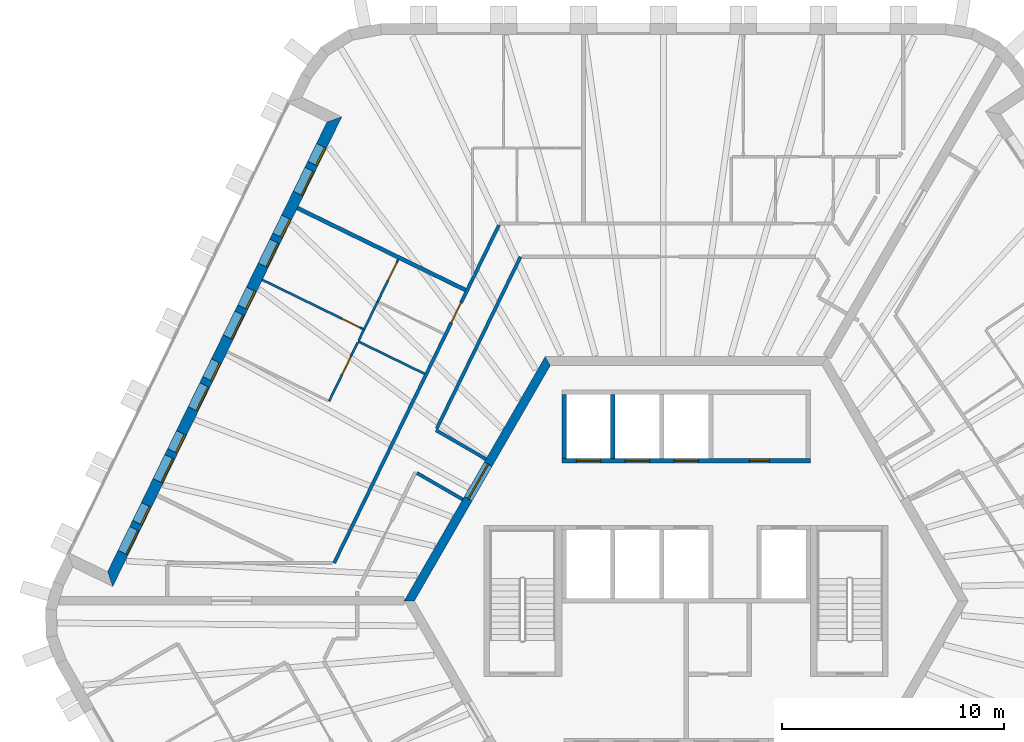
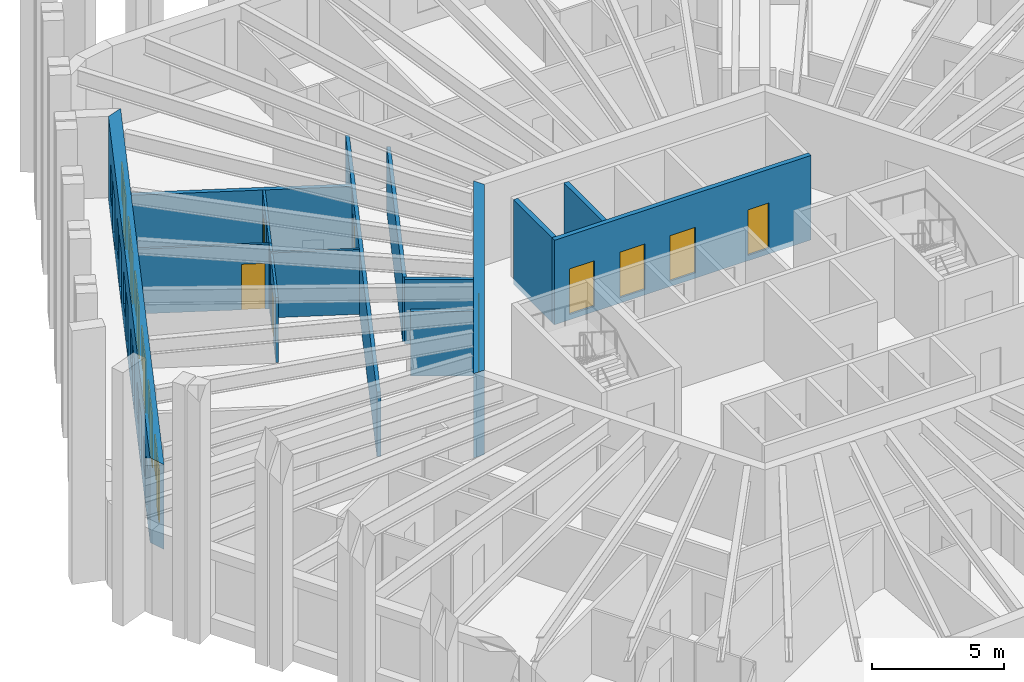
# One storey, part 8 of 13: 16 walls, 15 doors, 6 windows, 21 openings.
"""IFC4 building model written with IfcOpenShell, lengths in metres."""

from ifc_helpers import new_model, si_unit, direction, frame, frame_2d, origin, place, context, subcontext, project, spatial, polyline, rectangle, outline, extrude, material, layer, layer_set, type_object, element, fill, save


model = new_model("IFC4")

# Units and contexts
model_context = context("Model", 3, precision=1e-05, world=origin(), true_north=direction((0.0, 1.0)))
body_context = subcontext(model_context, "Body", "Model", "MODEL_VIEW")
ifc_project = project(units=[si_unit("LENGTHUNIT", "METRE"), si_unit("AREAUNIT", "SQUARE_METRE"), si_unit("VOLUMEUNIT", "CUBIC_METRE"), si_unit("PLANEANGLEUNIT", "RADIAN"), si_unit("MASSUNIT", "GRAM", prefix="KILO")], contexts=[model_context])

# Site, building, storey
site_placement = place(None, origin())
site = spatial("IfcSite", under=ifc_project, at=site_placement, CompositionType="ELEMENT")
building_placement = place(site_placement, origin())
building = spatial("IfcBuilding", under=site, at=building_placement, Name="Tarnside Tower", CompositionType="ELEMENT")
storey_placement = place(building_placement, frame((0.0, 0.0, 267.89990234375)))
storey = spatial("IfcBuildingStorey", under=building, at=storey_placement, Name="L64", CompositionType="ELEMENT", Elevation=267.89990234375)

# Walls
ifc_material_1 = material(Name="Gypsum board partition on steel studs", Category="steel")
ifc_layer_1 = layer(ifc_material_1, 0.10009765625)
ifc_layer_set_1 = layer_set([ifc_layer_1], Name="Bathroom wall 100")
wall_type_1 = type_object("IfcWallType", Name="Bathroom wall 100", PredefinedType="PARTITIONING", material=ifc_layer_set_1)
wall_1_placement = place(storey_placement, frame((-11.784912109375, 10.225830078125, 0.0), z_axis=(0.0, 0.0, 1.0), x_axis=(-0.898803726577, 0.438351298723, 0.0)))
element("IfcWall", 1, at=wall_1_placement, inside=storey, type_object=wall_type_1, Name="Bathroom wall 21106", PredefinedType="PARTITIONING", context=body_context, shape_type="SweptSolid", body=[
    extrude(rectangle(XDim=3.324951171875, YDim=0.10009765625, at=frame_2d((1.66259765625, 0.0))), origin(), (0.0, 0.0, 1.0), 2.98779296875),
])
wall_2_placement = place(storey_placement, frame((-13.895751953125, 13.48291015625, 0.0), z_axis=(0.0, 0.0, 1.0), x_axis=(-0.438416771233, -0.898771792337, 0.0)))
element("IfcWall", 2, at=wall_2_placement, inside=storey, type_object=wall_type_1, Name="Bathroom wall 21112", PredefinedType="PARTITIONING", context=body_context, shape_type="SweptSolid", body=[
    extrude(rectangle(XDim=1.402099609375, YDim=0.10009765625, at=frame_2d((0.701171875, 0.0))), origin(), (0.0, 0.0, 1.0), 2.98779296875),
])
wall_3_placement = place(storey_placement, frame((-14.510498046875, 12.22265625, 0.0), z_axis=(0.0, 0.0, 1.0), x_axis=(-0.438345197703, -0.898806702051, 0.0)))
element("IfcWall", 3, at=wall_3_placement, inside=storey, type_object=wall_type_1, Name="Bathroom wall 21113", PredefinedType="PARTITIONING", context=body_context, shape_type="SweptSolid", body=[
    extrude(rectangle(XDim=0.552001953125, YDim=0.10009765625, at=frame_2d((0.27587890625, 0.0))), origin(), (0.0, 0.0, 1.0), 2.98779296875),
])

# Wall, opening, door
ifc_material_2 = material(Name="Concrete C60/75", Category="concrete")
ifc_layer_2 = layer(ifc_material_2, 0.39990234375)
ifc_layer_set_2 = layer_set([ifc_layer_2], Name="Core wall Z3 400 C60/75")
wall_type_2 = type_object("IfcWallType", Name="Core wall Z3 400 C60/75", PredefinedType="SHEAR", material=ifc_layer_set_2)
wall_4_placement = place(storey_placement, frame((-6.2353515625, 10.800048828125, -0.14990234375), z_axis=(0.0, 0.0, 1.0), x_axis=(-0.499996419489, -0.866027470984, 0.0)))
wall_4 = element("IfcWall", 4, at=wall_4_placement, inside=storey, type_object=wall_type_2, Name="L64 core wall face 2", PredefinedType="SHEAR", context=body_context, shape_type="SweptSolid", body=[
    extrude(outline(polyline([(-0.115478515625, -0.199951171875), (12.586181640625, -0.199951171875), (12.355224609375, 0.199951171875), (0.115478515625, 0.199951171875), (-0.115478515625, -0.199951171875)])), origin(), (0.0, 0.0, 1.0), 3.89990234375),
])
opening_1_placement = place(wall_4_placement, frame((5.3642578125, 0.0, 0.14990234375)))
opening_1 = element("IfcOpeningElement", 5, at=opening_1_placement, cuts=wall_4, Name="Opening CD-LOB", PredefinedType="OPENING", context=body_context, shape_type="SweptSolid", body=[
    extrude(rectangle(XDim=1.800048828125, YDim=2.39990234375, at=frame_2d((0.89990234375, 1.199951171875))), frame((0.0, 0.2099609375, 0.0), z_axis=(0.0, -1.0, 0.0), x_axis=(1.0, 0.0, 0.0)), (0.0, 0.0, 1.0), 0.419921875),
])
ifc_material_3 = material(Name="Steel fire door", Category="steel")
door_type_1 = type_object("IfcDoorType", Name="Lobby double door FD30S 1800x2400", OperationType="NOTDEFINED", PredefinedType="DOOR", material=ifc_material_3)
door_1_placement = place(opening_1_placement, origin())
door_1 = element("IfcDoor", 6, at=door_1_placement, inside=storey, type_object=door_type_1, Name="L64 core door P1", OperationType="DOUBLE_DOOR_SINGLE_SWING", OverallHeight=2.39990234375, OverallWidth=1.800048828125, PredefinedType="DOOR", context=body_context, shape_type="SweptSolid", body=[
    extrude(rectangle(XDim=1.800048828125, YDim=2.39990234375, at=frame_2d((0.89990234375, 1.199951171875))), frame((0.0, 0.02490234375, 0.0), z_axis=(0.0, -1.0, 0.0), x_axis=(1.0, 0.0, 0.0)), (0.0, 0.0, 1.0), 0.050048828125),
])
fill(opening_1, door_1)

ifc_layer_3 = layer(ifc_material_1, 0.14990234375)
ifc_layer_set_3 = layer_set([ifc_layer_3], Name="Corridor wall 150 EI 60")
wall_type_3 = type_object("IfcWallType", Name="Corridor wall 150 EI 60", PredefinedType="PARTITIONING", material=ifc_layer_set_3)
wall_5_placement = place(storey_placement, frame((-8.43408203125, 16.925048828125, 0.0), z_axis=(0.0, 0.0, 1.0), x_axis=(-0.438371383278, -0.898793930956, 0.0)))
wall_5 = element("IfcWall", 7, at=wall_5_placement, inside=storey, type_object=wall_type_3, Name="Corridor wall 21010", PredefinedType="PARTITIONING", context=body_context, shape_type="SweptSolid", body=[
    extrude(rectangle(XDim=16.939453125, YDim=0.14990234375, at=frame_2d((8.4697265625, 0.0))), origin(), (0.0, 0.0, 1.0), 2.98779296875),
])
opening_2_placement = place(wall_5_placement, frame((3.89013671875, 0.0, 0.0)))
opening_2 = element("IfcOpeningElement", 8, at=opening_2_placement, cuts=wall_5, Name="Opening D-E1", PredefinedType="OPENING", context=body_context, shape_type="SweptSolid", body=[
    extrude(rectangle(XDim=1.0, YDim=2.10009765625, at=frame_2d((0.5, 1.050048828125))), frame((0.0, 0.0849609375, 0.0), z_axis=(0.0, -1.0, 0.0), x_axis=(1.0, 0.0, 0.0)), (0.0, 0.0, 1.0), 0.169921875),
])
ifc_material_4 = material(Name="Timber door leaf", Category="wood")
door_type_2 = type_object("IfcDoorType", Name="Unit entrance door 1000 FD30S", OperationType="NOTDEFINED", PredefinedType="DOOR", material=ifc_material_4)
door_2_placement = place(opening_2_placement, origin())
door_2 = element("IfcDoor", 9, at=door_2_placement, inside=storey, type_object=door_type_2, Name="Unit door 21017", OperationType="SINGLE_SWING_RIGHT", OverallHeight=2.10009765625, OverallWidth=1.0, PredefinedType="DOOR", context=body_context, shape_type="SweptSolid", body=[
    extrude(rectangle(XDim=1.0, YDim=2.10009765625, at=frame_2d((0.5, 1.050048828125))), frame((0.0, 0.02490234375, 0.0), z_axis=(0.0, -1.0, 0.0), x_axis=(1.0, 0.0, 0.0)), (0.0, 0.0, 1.0), 0.050048828125),
])
fill(opening_2, door_2)

# Walls
wall_6_placement = place(storey_placement, frame((-9.015625, 6.38427734375, 0.0), z_axis=(0.0, 0.0, 1.0), x_axis=(-0.866031051173, 0.499990218309, 0.0)))
element("IfcWall", 10, at=wall_6_placement, inside=storey, type_object=wall_type_3, Name="Corridor wall 21020", PredefinedType="PARTITIONING", context=body_context, shape_type="SweptSolid", body=[
    extrude(rectangle(XDim=2.6044921875, YDim=0.14990234375, at=frame_2d((1.30224609375, 0.0))), origin(), (0.0, 0.0, 1.0), 2.98779296875),
])
wall_7_placement = place(storey_placement, frame((-11.23828125, 7.754150390625, 0.0), z_axis=(0.0, 0.0, 1.0), x_axis=(0.438387352899, 0.89878614187, 0.0)))
element("IfcWall", 11, at=wall_7_placement, inside=storey, type_object=wall_type_3, Name="Corridor wall 21021", PredefinedType="PARTITIONING", context=body_context, shape_type="SweptSolid", body=[
    extrude(rectangle(XDim=8.6181640625, YDim=0.14990234375, at=frame_2d((4.30908203125, 0.0))), origin(), (0.0, 0.0, 1.0), 2.98779296875),
])
wall_8_placement = place(storey_placement, frame((-12.12890625, 5.7568359375, 0.0), z_axis=(0.0, 0.0, 1.0), x_axis=(0.866033707122, -0.499985617921, 0.0)))
element("IfcWall", 12, at=wall_8_placement, inside=storey, type_object=wall_type_3, Name="Corridor wall 21028", PredefinedType="PARTITIONING", context=body_context, shape_type="SweptSolid", body=[
    extrude(rectangle(XDim=2.38232421875, YDim=0.14990234375, at=frame_2d((1.191162109375, 0.0))), origin(), (0.0, 0.0, 1.0), 2.98779296875),
])
ifc_layer_4 = layer(ifc_material_1, 0.179931640625)
ifc_layer_set_4 = layer_set([ifc_layer_4], Name="Demising wall 180 EI 60")
wall_type_4 = type_object("IfcWallType", Name="Demising wall 180 EI 60", PredefinedType="PARTITIONING", material=ifc_layer_set_4)
wall_9_placement = place(storey_placement, frame((-17.51611328125, 17.694091796875, 0.0), z_axis=(0.0, 0.0, 1.0), x_axis=(0.898788496909, -0.438382524543, 0.0)))
element("IfcWall", 13, at=wall_9_placement, inside=storey, type_object=wall_type_4, Name="Demising wall 21101", PredefinedType="PARTITIONING", context=body_context, shape_type="SweptSolid", body=[
    extrude(rectangle(XDim=8.425048828125, YDim=0.179931640625, at=frame_2d((4.21240234375, 0.0))), origin(), (0.0, 0.0, 1.0), 2.98779296875),
])

# Wall, openings, doors
ifc_material_5 = material(Name="Concrete C40/50", Category="concrete")
ifc_layer_5 = layer(ifc_material_5, 0.199951171875)
ifc_layer_set_5 = layer_set([ifc_layer_5], Name="Lift shaft wall 200 C40/50")
wall_type_5 = type_object("IfcWallType", Name="Lift shaft wall 200 C40/50", PredefinedType="SHEAR", material=ifc_layer_set_5)
wall_10_placement = place(storey_placement, frame((-5.60009765625, 6.300048828125, -0.25), z_axis=(0.0, 0.0, 1.0), x_axis=(1.0, 0.0, 0.0)))
wall_10 = element("IfcWall", 14, at=wall_10_placement, inside=storey, type_object=wall_type_5, Name="L64 lift shaft front wall R1", PredefinedType="SHEAR", context=body_context, shape_type="SweptSolid", body=[
    extrude(rectangle(XDim=11.2001953125, YDim=0.199951171875, at=frame_2d((5.60009765625, 0.0))), origin(), (0.0, 0.0, 1.0), 3.900146484375),
])
opening_3_placement = place(wall_10_placement, frame((8.449951171875, 0.0, 0.25)))
opening_3 = element("IfcOpeningElement", 15, at=opening_3_placement, cuts=wall_10, Name="Opening CD-room", PredefinedType="OPENING", context=body_context, shape_type="SweptSolid", body=[
    extrude(rectangle(XDim=0.89990234375, YDim=2.10009765625, at=frame_2d((0.449951171875, 1.050048828125))), frame((0.0, 0.10986328125, 0.0), z_axis=(0.0, -1.0, 0.0), x_axis=(1.0, 0.0, 0.0)), (0.0, 0.0, 1.0), 0.219970703125),
])
opening_4_placement = place(wall_10_placement, frame((0.64990234375, 0.0, 0.25)))
opening_4 = element("IfcOpeningElement", 16, at=opening_4_placement, cuts=wall_10, Name="Opening LD", PredefinedType="OPENING", context=body_context, shape_type="SweptSolid", body=[
    extrude(rectangle(XDim=1.10009765625, YDim=2.10009765625, at=frame_2d((0.550048828125, 1.050048828125))), frame((0.0, 0.10986328125, 0.0), z_axis=(0.0, -1.0, 0.0), x_axis=(1.0, 0.0, 0.0)), (0.0, 0.0, 1.0), 0.219970703125),
])
opening_5_placement = place(wall_10_placement, frame((2.85009765625, 0.0, 0.25)))
opening_5 = element("IfcOpeningElement", 17, at=opening_5_placement, cuts=wall_10, Name="Opening LD", PredefinedType="OPENING", context=body_context, shape_type="SweptSolid", body=[
    extrude(rectangle(XDim=1.10009765625, YDim=2.10009765625, at=frame_2d((0.550048828125, 1.050048828125))), frame((0.0, 0.10986328125, 0.0), z_axis=(0.0, -1.0, 0.0), x_axis=(1.0, 0.0, 0.0)), (0.0, 0.0, 1.0), 0.219970703125),
])
opening_6_placement = place(wall_10_placement, frame((5.050048828125, 0.0, 0.25)))
opening_6 = element("IfcOpeningElement", 18, at=opening_6_placement, cuts=wall_10, Name="Opening LD", PredefinedType="OPENING", context=body_context, shape_type="SweptSolid", body=[
    extrude(rectangle(XDim=1.10009765625, YDim=2.10009765625, at=frame_2d((0.550048828125, 1.050048828125))), frame((0.0, 0.10986328125, 0.0), z_axis=(0.0, -1.0, 0.0), x_axis=(1.0, 0.0, 0.0)), (0.0, 0.0, 1.0), 0.219970703125),
])
ifc_material_6 = material(Name="Stainless steel", Category="steel")
door_type_3 = type_object("IfcDoorType", Name="Lift landing door 1100x2100", OperationType="NOTDEFINED", PredefinedType="DOOR", material=ifc_material_6)
door_3_placement = place(opening_4_placement, origin())
door_3 = element("IfcDoor", 19, at=door_3_placement, inside=storey, type_object=door_type_3, Name="High-rise lift 1 landing door L64", OperationType="SLIDING_TO_LEFT", OverallHeight=2.10009765625, OverallWidth=1.10009765625, PredefinedType="DOOR", context=body_context, shape_type="SweptSolid", body=[
    extrude(rectangle(XDim=1.10009765625, YDim=2.10009765625, at=frame_2d((0.550048828125, 1.050048828125))), frame((0.0, 0.02490234375, 0.0), z_axis=(0.0, -1.0, 0.0), x_axis=(1.0, 0.0, 0.0)), (0.0, 0.0, 1.0), 0.050048828125),
])
fill(opening_4, door_3)
door_4_placement = place(opening_5_placement, origin())
door_4 = element("IfcDoor", 20, at=door_4_placement, inside=storey, type_object=door_type_3, Name="High-rise lift 2 landing door L64", OperationType="SLIDING_TO_LEFT", OverallHeight=2.10009765625, OverallWidth=1.10009765625, PredefinedType="DOOR", context=body_context, shape_type="SweptSolid", body=[
    extrude(rectangle(XDim=1.10009765625, YDim=2.10009765625, at=frame_2d((0.550048828125, 1.050048828125))), frame((0.0, 0.02490234375, 0.0), z_axis=(0.0, -1.0, 0.0), x_axis=(1.0, 0.0, 0.0)), (0.0, 0.0, 1.0), 0.050048828125),
])
fill(opening_5, door_4)
door_5_placement = place(opening_6_placement, origin())
door_5 = element("IfcDoor", 21, at=door_5_placement, inside=storey, type_object=door_type_3, Name="High-rise lift 3 landing door L64", OperationType="SLIDING_TO_LEFT", OverallHeight=2.10009765625, OverallWidth=1.10009765625, PredefinedType="DOOR", context=body_context, shape_type="SweptSolid", body=[
    extrude(rectangle(XDim=1.10009765625, YDim=2.10009765625, at=frame_2d((0.550048828125, 1.050048828125))), frame((0.0, 0.02490234375, 0.0), z_axis=(0.0, -1.0, 0.0), x_axis=(1.0, 0.0, 0.0)), (0.0, 0.0, 1.0), 0.050048828125),
])
fill(opening_6, door_5)
door_type_4 = type_object("IfcDoorType", Name="Room door FD60 900x2100", OperationType="NOTDEFINED", PredefinedType="DOOR", material=ifc_material_3)
door_6_placement = place(opening_3_placement, origin())
door_6 = element("IfcDoor", 22, at=door_6_placement, inside=storey, type_object=door_type_4, Name="L64 core room door FC1", OperationType="SINGLE_SWING_LEFT", OverallHeight=2.10009765625, OverallWidth=0.89990234375, PredefinedType="DOOR", context=body_context, shape_type="SweptSolid", body=[
    extrude(rectangle(XDim=0.89990234375, YDim=2.10009765625, at=frame_2d((0.449951171875, 1.050048828125))), frame((0.0, 0.02490234375, 0.0), z_axis=(0.0, -1.0, 0.0), x_axis=(1.0, 0.0, 0.0)), (0.0, 0.0, 1.0), 0.050048828125),
])
fill(opening_3, door_6)

# Walls
for number, where, z_axis, x_axis, name in (
    (23, (-5.5, 6.39990234375, -0.25), (0.0, 0.0, 1.0), (0.0, 1.0, 0.0), "L64 lift shaft partition R11"),
    (24, (-3.300048828125, 6.39990234375, -0.25), (0.0, 0.0, 1.0), (0.0, 1.0, 0.0), "L64 lift shaft partition R12"),
):
    element("IfcWall", number, at=place(storey_placement, frame(where, z_axis=z_axis, x_axis=x_axis)), inside=storey, type_object=wall_type_5, Name=name, PredefinedType="SHEAR", context=body_context, shape_type="SweptSolid", body=[
        extrude(rectangle(XDim=2.900146484375, YDim=0.199951171875, at=frame_2d((1.4501953125, 0.0))), origin(), (0.0, 0.0, 1.0), 3.900146484375),
    ])

# Wall, openings, doors, windows
ifc_material_7 = material(Name="Dark zinc cladding")
ifc_layer_6 = layer(ifc_material_7, 0.10205078125)
ifc_material_8 = material(Name="Concrete C60/75 precast", Category="concrete")
ifc_layer_7 = layer(ifc_material_8, 0.298095703125)
ifc_material_9 = material(Name="Mineral wool insulation")
ifc_layer_8 = layer(ifc_material_9, 0.10009765625)
ifc_layer_set_6 = layer_set([ifc_layer_6, ifc_layer_7, ifc_layer_8], Name="Loggia wall 500 zinc faced")
wall_type_6 = type_object("IfcWallType", Name="Loggia wall 500 zinc faced", PredefinedType="SOLIDWALL", material=ifc_layer_set_6)
wall_11_placement = place(storey_placement, frame((-15.845947265625, 21.6884765625, -0.14990234375), z_axis=(0.0, 0.0, 1.0), x_axis=(-0.438377502627, -0.898790946322, 0.0)))
wall_11 = element("IfcWall", 25, at=wall_11_placement, inside=storey, type_object=wall_type_6, Name="Tube wall L64 F2 back 06", PredefinedType="SOLIDWALL", context=body_context, shape_type="SweptSolid", body=[
    extrude(outline(polyline([(0.25, -0.25), (22.794677734375, -0.25), (23.294677734375, 0.25), (-0.25, 0.25), (0.25, -0.25)])), origin(), (0.0, 0.0, 1.0), 3.89990234375),
])
opening_7_placement = place(wall_11_placement, frame((1.322509765625, 0.0, 1.050048828125)))
opening_7 = element("IfcOpeningElement", 26, at=opening_7_placement, cuts=wall_11, Name="Opening WL500", PredefinedType="OPENING", context=body_context, shape_type="SweptSolid", body=[
    extrude(rectangle(XDim=0.89990234375, YDim=1.5, at=frame_2d((0.449951171875, 0.75))), frame((0.0, 0.260009765625, 0.0), z_axis=(0.0, -1.0, 0.0), x_axis=(1.0, 0.0, 0.0)), (0.0, 0.0, 1.0), 0.52001953125),
])
opening_8_placement = place(wall_11_placement, frame((2.5224609375, 0.0, 0.14990234375)))
opening_8 = element("IfcOpeningElement", 27, at=opening_8_placement, cuts=wall_11, Name="Opening DB500", PredefinedType="OPENING", context=body_context, shape_type="SweptSolid", body=[
    extrude(rectangle(XDim=1.199951171875, YDim=2.39990234375, at=frame_2d((0.60009765625, 1.199951171875))), frame((0.0, 0.260009765625, 0.0), z_axis=(0.0, -1.0, 0.0), x_axis=(1.0, 0.0, 0.0)), (0.0, 0.0, 1.0), 0.52001953125),
])
opening_9_placement = place(wall_11_placement, frame((4.92236328125, 0.0, 1.050048828125)))
opening_9 = element("IfcOpeningElement", 28, at=opening_9_placement, cuts=wall_11, Name="Opening WL500", PredefinedType="OPENING", context=body_context, shape_type="SweptSolid", body=[
    extrude(rectangle(XDim=0.89990234375, YDim=1.5, at=frame_2d((0.449951171875, 0.75))), frame((0.0, 0.260009765625, 0.0), z_axis=(0.0, -1.0, 0.0), x_axis=(1.0, 0.0, 0.0)), (0.0, 0.0, 1.0), 0.52001953125),
])
opening_10_placement = place(wall_11_placement, frame((6.122314453125, 0.0, 0.14990234375)))
opening_10 = element("IfcOpeningElement", 29, at=opening_10_placement, cuts=wall_11, Name="Opening DB500", PredefinedType="OPENING", context=body_context, shape_type="SweptSolid", body=[
    extrude(rectangle(XDim=1.199951171875, YDim=2.39990234375, at=frame_2d((0.60009765625, 1.199951171875))), frame((0.0, 0.260009765625, 0.0), z_axis=(0.0, -1.0, 0.0), x_axis=(1.0, 0.0, 0.0)), (0.0, 0.0, 1.0), 0.52001953125),
])
opening_11_placement = place(wall_11_placement, frame((8.5224609375, 0.0, 1.050048828125)))
opening_11 = element("IfcOpeningElement", 30, at=opening_11_placement, cuts=wall_11, Name="Opening WL500", PredefinedType="OPENING", context=body_context, shape_type="SweptSolid", body=[
    extrude(rectangle(XDim=0.89990234375, YDim=1.5, at=frame_2d((0.449951171875, 0.75))), frame((0.0, 0.260009765625, 0.0), z_axis=(0.0, -1.0, 0.0), x_axis=(1.0, 0.0, 0.0)), (0.0, 0.0, 1.0), 0.52001953125),
])
opening_12_placement = place(wall_11_placement, frame((9.722412109375, 0.0, 0.14990234375)))
opening_12 = element("IfcOpeningElement", 31, at=opening_12_placement, cuts=wall_11, Name="Opening DB500", PredefinedType="OPENING", context=body_context, shape_type="SweptSolid", body=[
    extrude(rectangle(XDim=1.199951171875, YDim=2.39990234375, at=frame_2d((0.60009765625, 1.199951171875))), frame((0.0, 0.260009765625, 0.0), z_axis=(0.0, -1.0, 0.0), x_axis=(1.0, 0.0, 0.0)), (0.0, 0.0, 1.0), 0.52001953125),
])
opening_13_placement = place(wall_11_placement, frame((12.122314453125, 0.0, 1.050048828125)))
opening_13 = element("IfcOpeningElement", 32, at=opening_13_placement, cuts=wall_11, Name="Opening WL500", PredefinedType="OPENING", context=body_context, shape_type="SweptSolid", body=[
    extrude(rectangle(XDim=0.89990234375, YDim=1.5, at=frame_2d((0.449951171875, 0.75))), frame((0.0, 0.260009765625, 0.0), z_axis=(0.0, -1.0, 0.0), x_axis=(1.0, 0.0, 0.0)), (0.0, 0.0, 1.0), 0.52001953125),
])
opening_14_placement = place(wall_11_placement, frame((13.322509765625, 0.0, 0.14990234375)))
opening_14 = element("IfcOpeningElement", 33, at=opening_14_placement, cuts=wall_11, Name="Opening DB500", PredefinedType="OPENING", context=body_context, shape_type="SweptSolid", body=[
    extrude(rectangle(XDim=1.199951171875, YDim=2.39990234375, at=frame_2d((0.60009765625, 1.199951171875))), frame((0.0, 0.260009765625, 0.0), z_axis=(0.0, -1.0, 0.0), x_axis=(1.0, 0.0, 0.0)), (0.0, 0.0, 1.0), 0.52001953125),
])
opening_15_placement = place(wall_11_placement, frame((15.722412109375, 0.0, 1.050048828125)))
opening_15 = element("IfcOpeningElement", 34, at=opening_15_placement, cuts=wall_11, Name="Opening WL500", PredefinedType="OPENING", context=body_context, shape_type="SweptSolid", body=[
    extrude(rectangle(XDim=0.89990234375, YDim=1.5, at=frame_2d((0.449951171875, 0.75))), frame((0.0, 0.260009765625, 0.0), z_axis=(0.0, -1.0, 0.0), x_axis=(1.0, 0.0, 0.0)), (0.0, 0.0, 1.0), 0.52001953125),
])
opening_16_placement = place(wall_11_placement, frame((16.92236328125, 0.0, 0.14990234375)))
opening_16 = element("IfcOpeningElement", 35, at=opening_16_placement, cuts=wall_11, Name="Opening DB500", PredefinedType="OPENING", context=body_context, shape_type="SweptSolid", body=[
    extrude(rectangle(XDim=1.199951171875, YDim=2.39990234375, at=frame_2d((0.60009765625, 1.199951171875))), frame((0.0, 0.260009765625, 0.0), z_axis=(0.0, -1.0, 0.0), x_axis=(1.0, 0.0, 0.0)), (0.0, 0.0, 1.0), 0.52001953125),
])
opening_17_placement = place(wall_11_placement, frame((19.322509765625, 0.0, 1.050048828125)))
opening_17 = element("IfcOpeningElement", 36, at=opening_17_placement, cuts=wall_11, Name="Opening WL500", PredefinedType="OPENING", context=body_context, shape_type="SweptSolid", body=[
    extrude(rectangle(XDim=0.89990234375, YDim=1.5, at=frame_2d((0.449951171875, 0.75))), frame((0.0, 0.260009765625, 0.0), z_axis=(0.0, -1.0, 0.0), x_axis=(1.0, 0.0, 0.0)), (0.0, 0.0, 1.0), 0.52001953125),
])
opening_18_placement = place(wall_11_placement, frame((20.5224609375, 0.0, 0.14990234375)))
opening_18 = element("IfcOpeningElement", 37, at=opening_18_placement, cuts=wall_11, Name="Opening DB500", PredefinedType="OPENING", context=body_context, shape_type="SweptSolid", body=[
    extrude(rectangle(XDim=1.199951171875, YDim=2.39990234375, at=frame_2d((0.60009765625, 1.199951171875))), frame((0.0, 0.260009765625, 0.0), z_axis=(0.0, -1.0, 0.0), x_axis=(1.0, 0.0, 0.0)), (0.0, 0.0, 1.0), 0.52001953125),
])
ifc_material_10 = material(Name="Aluminium-framed double glazing", Category="aluminium")
door_type_5 = type_object("IfcDoorType", Name="Balcony sliding door 1200 x 2400 in 500 wall", OperationType="SLIDING_TO_LEFT", PredefinedType="DOOR", material=ifc_material_10)
door_7_placement = place(opening_8_placement, frame((0.0, 0.1748046875, 0.0)))
door_7 = element("IfcDoor", 38, at=door_7_placement, inside=storey, type_object=door_type_5, Name="E.BD.L64.F2.00", OperationType="SLIDING_TO_LEFT", OverallHeight=2.39990234375, OverallWidth=1.199951171875, PredefinedType="DOOR", context=body_context, shape_type="SweptSolid", body=[
    extrude(rectangle(XDim=1.199951171875, YDim=2.39990234375, at=frame_2d((0.60009765625, 1.199951171875))), frame((0.0, 0.02490234375, 0.0), z_axis=(0.0, -1.0, 0.0), x_axis=(1.0, 0.0, 0.0)), (0.0, 0.0, 1.0), 0.050048828125),
])
fill(opening_8, door_7)
door_8_placement = place(opening_10_placement, frame((0.0, 0.1748046875, 0.0)))
door_8 = element("IfcDoor", 39, at=door_8_placement, inside=storey, type_object=door_type_5, Name="E.BD.L64.F2.01", OperationType="SLIDING_TO_LEFT", OverallHeight=2.39990234375, OverallWidth=1.199951171875, PredefinedType="DOOR", context=body_context, shape_type="SweptSolid", body=[
    extrude(rectangle(XDim=1.199951171875, YDim=2.39990234375, at=frame_2d((0.60009765625, 1.199951171875))), frame((0.0, 0.02490234375, 0.0), z_axis=(0.0, -1.0, 0.0), x_axis=(1.0, 0.0, 0.0)), (0.0, 0.0, 1.0), 0.050048828125),
])
fill(opening_10, door_8)
door_9_placement = place(opening_12_placement, frame((0.0, 0.1748046875, 0.0)))
door_9 = element("IfcDoor", 40, at=door_9_placement, inside=storey, type_object=door_type_5, Name="E.BD.L64.F2.02", OperationType="SLIDING_TO_LEFT", OverallHeight=2.39990234375, OverallWidth=1.199951171875, PredefinedType="DOOR", context=body_context, shape_type="SweptSolid", body=[
    extrude(rectangle(XDim=1.199951171875, YDim=2.39990234375, at=frame_2d((0.60009765625, 1.199951171875))), frame((0.0, 0.02490234375, 0.0), z_axis=(0.0, -1.0, 0.0), x_axis=(1.0, 0.0, 0.0)), (0.0, 0.0, 1.0), 0.050048828125),
])
fill(opening_12, door_9)
door_10_placement = place(opening_14_placement, frame((0.0, 0.1748046875, 0.0)))
door_10 = element("IfcDoor", 41, at=door_10_placement, inside=storey, type_object=door_type_5, Name="E.BD.L64.F2.03", OperationType="SLIDING_TO_LEFT", OverallHeight=2.39990234375, OverallWidth=1.199951171875, PredefinedType="DOOR", context=body_context, shape_type="SweptSolid", body=[
    extrude(rectangle(XDim=1.199951171875, YDim=2.39990234375, at=frame_2d((0.60009765625, 1.199951171875))), frame((0.0, 0.02490234375, 0.0), z_axis=(0.0, -1.0, 0.0), x_axis=(1.0, 0.0, 0.0)), (0.0, 0.0, 1.0), 0.050048828125),
])
fill(opening_14, door_10)
door_11_placement = place(opening_16_placement, frame((0.0, 0.1748046875, 0.0)))
door_11 = element("IfcDoor", 42, at=door_11_placement, inside=storey, type_object=door_type_5, Name="E.BD.L64.F2.04", OperationType="SLIDING_TO_LEFT", OverallHeight=2.39990234375, OverallWidth=1.199951171875, PredefinedType="DOOR", context=body_context, shape_type="SweptSolid", body=[
    extrude(rectangle(XDim=1.199951171875, YDim=2.39990234375, at=frame_2d((0.60009765625, 1.199951171875))), frame((0.0, 0.02490234375, 0.0), z_axis=(0.0, -1.0, 0.0), x_axis=(1.0, 0.0, 0.0)), (0.0, 0.0, 1.0), 0.050048828125),
])
fill(opening_16, door_11)
door_12_placement = place(opening_18_placement, frame((0.0, 0.1748046875, 0.0)))
door_12 = element("IfcDoor", 43, at=door_12_placement, inside=storey, type_object=door_type_5, Name="E.BD.L64.F2.05", OperationType="SLIDING_TO_LEFT", OverallHeight=2.39990234375, OverallWidth=1.199951171875, PredefinedType="DOOR", context=body_context, shape_type="SweptSolid", body=[
    extrude(rectangle(XDim=1.199951171875, YDim=2.39990234375, at=frame_2d((0.60009765625, 1.199951171875))), frame((0.0, 0.02490234375, 0.0), z_axis=(0.0, -1.0, 0.0), x_axis=(1.0, 0.0, 0.0)), (0.0, 0.0, 1.0), 0.050048828125),
])
fill(opening_18, door_12)
window_type = type_object("IfcWindowType", Name="Loggia window 900 x 1500 in 500 wall", PartitioningType="SINGLE_PANEL", PredefinedType="WINDOW", material=ifc_material_10)
window_1_placement = place(opening_7_placement, frame((0.0, 0.179931640625, 0.0)))
window_1 = element("IfcWindow", 44, at=window_1_placement, inside=storey, type_object=window_type, Name="E.LW.L64.F2.00", OverallHeight=1.5, OverallWidth=0.89990234375, PartitioningType="SINGLE_PANEL", PredefinedType="WINDOW", context=body_context, shape_type="SweptSolid", body=[
    extrude(rectangle(XDim=0.89990234375, YDim=1.5, at=frame_2d((0.449951171875, 0.75))), frame((0.0, 0.030029296875, 0.0), z_axis=(0.0, -1.0, 0.0), x_axis=(1.0, 0.0, 0.0)), (0.0, 0.0, 1.0), 0.06005859375),
])
fill(opening_7, window_1)
window_2_placement = place(opening_9_placement, frame((0.0, 0.179931640625, 0.0)))
window_2 = element("IfcWindow", 45, at=window_2_placement, inside=storey, type_object=window_type, Name="E.LW.L64.F2.01", OverallHeight=1.5, OverallWidth=0.89990234375, PartitioningType="SINGLE_PANEL", PredefinedType="WINDOW", context=body_context, shape_type="SweptSolid", body=[
    extrude(rectangle(XDim=0.89990234375, YDim=1.5, at=frame_2d((0.449951171875, 0.75))), frame((0.0, 0.030029296875, 0.0), z_axis=(0.0, -1.0, 0.0), x_axis=(1.0, 0.0, 0.0)), (0.0, 0.0, 1.0), 0.06005859375),
])
fill(opening_9, window_2)
window_3_placement = place(opening_11_placement, frame((0.0, 0.179931640625, 0.0)))
window_3 = element("IfcWindow", 46, at=window_3_placement, inside=storey, type_object=window_type, Name="E.LW.L64.F2.02", OverallHeight=1.5, OverallWidth=0.89990234375, PartitioningType="SINGLE_PANEL", PredefinedType="WINDOW", context=body_context, shape_type="SweptSolid", body=[
    extrude(rectangle(XDim=0.89990234375, YDim=1.5, at=frame_2d((0.449951171875, 0.75))), frame((0.0, 0.030029296875, 0.0), z_axis=(0.0, -1.0, 0.0), x_axis=(1.0, 0.0, 0.0)), (0.0, 0.0, 1.0), 0.06005859375),
])
fill(opening_11, window_3)
window_4_placement = place(opening_13_placement, frame((0.0, 0.179931640625, 0.0)))
window_4 = element("IfcWindow", 47, at=window_4_placement, inside=storey, type_object=window_type, Name="E.LW.L64.F2.03", OverallHeight=1.5, OverallWidth=0.89990234375, PartitioningType="SINGLE_PANEL", PredefinedType="WINDOW", context=body_context, shape_type="SweptSolid", body=[
    extrude(rectangle(XDim=0.89990234375, YDim=1.5, at=frame_2d((0.449951171875, 0.75))), frame((0.0, 0.030029296875, 0.0), z_axis=(0.0, -1.0, 0.0), x_axis=(1.0, 0.0, 0.0)), (0.0, 0.0, 1.0), 0.06005859375),
])
fill(opening_13, window_4)
window_5_placement = place(opening_15_placement, frame((0.0, 0.179931640625, 0.0)))
window_5 = element("IfcWindow", 48, at=window_5_placement, inside=storey, type_object=window_type, Name="E.LW.L64.F2.04", OverallHeight=1.5, OverallWidth=0.89990234375, PartitioningType="SINGLE_PANEL", PredefinedType="WINDOW", context=body_context, shape_type="SweptSolid", body=[
    extrude(rectangle(XDim=0.89990234375, YDim=1.5, at=frame_2d((0.449951171875, 0.75))), frame((0.0, 0.030029296875, 0.0), z_axis=(0.0, -1.0, 0.0), x_axis=(1.0, 0.0, 0.0)), (0.0, 0.0, 1.0), 0.06005859375),
])
fill(opening_15, window_5)
window_6_placement = place(opening_17_placement, frame((0.0, 0.179931640625, 0.0)))
window_6 = element("IfcWindow", 49, at=window_6_placement, inside=storey, type_object=window_type, Name="E.LW.L64.F2.05", OverallHeight=1.5, OverallWidth=0.89990234375, PartitioningType="SINGLE_PANEL", PredefinedType="WINDOW", context=body_context, shape_type="SweptSolid", body=[
    extrude(rectangle(XDim=0.89990234375, YDim=1.5, at=frame_2d((0.449951171875, 0.75))), frame((0.0, 0.030029296875, 0.0), z_axis=(0.0, -1.0, 0.0), x_axis=(1.0, 0.0, 0.0)), (0.0, 0.0, 1.0), 0.06005859375),
])
fill(opening_17, window_6)

# Wall, opening, door
ifc_layer_9 = layer(ifc_material_1, 0.10009765625)
ifc_layer_set_7 = layer_set([ifc_layer_9], Name="Partition 100")
wall_type_7 = type_object("IfcWallType", Name="Partition 100", PredefinedType="PARTITIONING", material=ifc_layer_set_7)
wall_12_placement = place(storey_placement, frame((-14.79443359375, 11.640380859375, 0.0), z_axis=(0.0, 0.0, 1.0), x_axis=(-0.438392673906, -0.898783546503, 0.0)))
wall_12 = element("IfcWall", 50, at=wall_12_placement, inside=storey, type_object=wall_type_7, Name="Partition wall 21107", PredefinedType="PARTITIONING", context=body_context, shape_type="SweptSolid", body=[
    extrude(rectangle(XDim=2.9521484375, YDim=0.10009765625, at=frame_2d((1.47607421875, 0.0))), origin(), (0.0, 0.0, 1.0), 2.98779296875),
])
opening_19_placement = place(wall_12_placement, frame((0.701904296875, 0.0, 0.0)))
opening_19 = element("IfcOpeningElement", 51, at=opening_19_placement, cuts=wall_12, Name="Opening D-I1", PredefinedType="OPENING", context=body_context, shape_type="SweptSolid", body=[
    extrude(rectangle(XDim=0.89990234375, YDim=2.10009765625, at=frame_2d((0.449951171875, 1.050048828125))), frame((0.0, 0.06005859375, 0.0), z_axis=(0.0, -1.0, 0.0), x_axis=(1.0, 0.0, 0.0)), (0.0, 0.0, 1.0), 0.1201171875),
])
door_type_6 = type_object("IfcDoorType", Name="Internal door 900", OperationType="NOTDEFINED", PredefinedType="DOOR", material=ifc_material_4)
door_13_placement = place(opening_19_placement, origin())
door_13 = element("IfcDoor", 52, at=door_13_placement, inside=storey, type_object=door_type_6, Name="Internal door 21024", OperationType="SINGLE_SWING_RIGHT", OverallHeight=2.10009765625, OverallWidth=0.89990234375, PredefinedType="DOOR", context=body_context, shape_type="SweptSolid", body=[
    extrude(rectangle(XDim=0.89990234375, YDim=2.10009765625, at=frame_2d((0.449951171875, 1.050048828125))), frame((0.0, 0.02490234375, 0.0), z_axis=(0.0, -1.0, 0.0), x_axis=(1.0, 0.0, 0.0)), (0.0, 0.0, 1.0), 0.050048828125),
])
fill(opening_19, door_13)

wall_13_placement = place(storey_placement, frame((-12.9716796875, 15.37744140625, 0.0), z_axis=(0.0, 0.0, 1.0), x_axis=(-0.438453238863, -0.898754002678, 0.0)))
wall_13 = element("IfcWall", 53, at=wall_13_placement, inside=storey, type_object=wall_type_7, Name="Partition wall 21111", PredefinedType="PARTITIONING", context=body_context, shape_type="SweptSolid", body=[
    extrude(rectangle(XDim=2.112060546875, YDim=0.10009765625, at=frame_2d((1.05615234375, 0.0))), origin(), (0.0, 0.0, 1.0), 2.98779296875),
])
opening_20_placement = place(wall_13_placement, frame((0.14990234375, 0.0, 0.0)))
opening_20 = element("IfcOpeningElement", 54, at=opening_20_placement, cuts=wall_13, Name="Opening D-I1", PredefinedType="OPENING", context=body_context, shape_type="SweptSolid", body=[
    extrude(rectangle(XDim=0.89990234375, YDim=2.10009765625, at=frame_2d((0.449951171875, 1.050048828125))), frame((0.0, 0.06005859375, 0.0), z_axis=(0.0, -1.0, 0.0), x_axis=(1.0, 0.0, 0.0)), (0.0, 0.0, 1.0), 0.1201171875),
])
door_14_placement = place(opening_20_placement, origin())
door_14 = element("IfcDoor", 55, at=door_14_placement, inside=storey, type_object=door_type_6, Name="Internal door 21020", OperationType="SINGLE_SWING_LEFT", OverallHeight=2.10009765625, OverallWidth=0.89990234375, PredefinedType="DOOR", context=body_context, shape_type="SweptSolid", body=[
    extrude(rectangle(XDim=0.89990234375, YDim=2.10009765625, at=frame_2d((0.449951171875, 1.050048828125))), frame((0.0, 0.02490234375, 0.0), z_axis=(0.0, -1.0, 0.0), x_axis=(1.0, 0.0, 0.0)), (0.0, 0.0, 1.0), 0.050048828125),
])
fill(opening_20, door_14)

wall_14_placement = place(storey_placement, frame((-19.09423828125, 14.45849609375, 0.0), z_axis=(0.0, 0.0, 1.0), x_axis=(0.898783313387, -0.438393151837, 0.0)))
wall_14 = element("IfcWall", 56, at=wall_14_placement, inside=storey, type_object=wall_type_7, Name="Partition wall 21114", PredefinedType="PARTITIONING", context=body_context, shape_type="SweptSolid", body=[
    extrude(rectangle(XDim=5.050048828125, YDim=0.10009765625, at=frame_2d((2.52490234375, 0.0))), origin(), (0.0, 0.0, 1.0), 2.98779296875),
])
opening_21_placement = place(wall_14_placement, frame((4.0, 0.0, 0.0)))
opening_21 = element("IfcOpeningElement", 57, at=opening_21_placement, cuts=wall_14, Name="Opening D-I1", PredefinedType="OPENING", context=body_context, shape_type="SweptSolid", body=[
    extrude(rectangle(XDim=0.89990234375, YDim=2.10009765625, at=frame_2d((0.449951171875, 1.050048828125))), frame((0.0, 0.06005859375, 0.0), z_axis=(0.0, -1.0, 0.0), x_axis=(1.0, 0.0, 0.0)), (0.0, 0.0, 1.0), 0.1201171875),
])
door_15_placement = place(opening_21_placement, origin())
door_15 = element("IfcDoor", 58, at=door_15_placement, inside=storey, type_object=door_type_6, Name="Internal door 21023", OperationType="SINGLE_SWING_RIGHT", OverallHeight=2.10009765625, OverallWidth=0.89990234375, PredefinedType="DOOR", context=body_context, shape_type="SweptSolid", body=[
    extrude(rectangle(XDim=0.89990234375, YDim=2.10009765625, at=frame_2d((0.449951171875, 1.050048828125))), frame((0.0, 0.02490234375, 0.0), z_axis=(0.0, -1.0, 0.0), x_axis=(1.0, 0.0, 0.0)), (0.0, 0.0, 1.0), 0.050048828125),
])
fill(opening_21, door_15)

save(model, "model.ifc")
